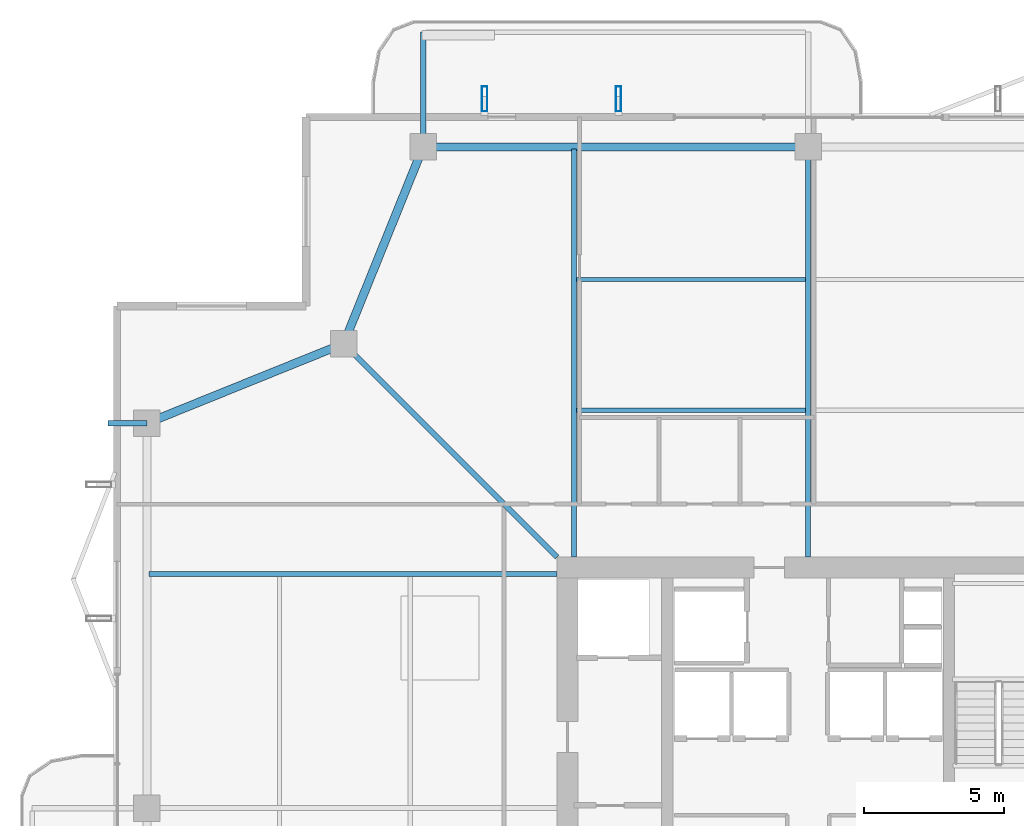
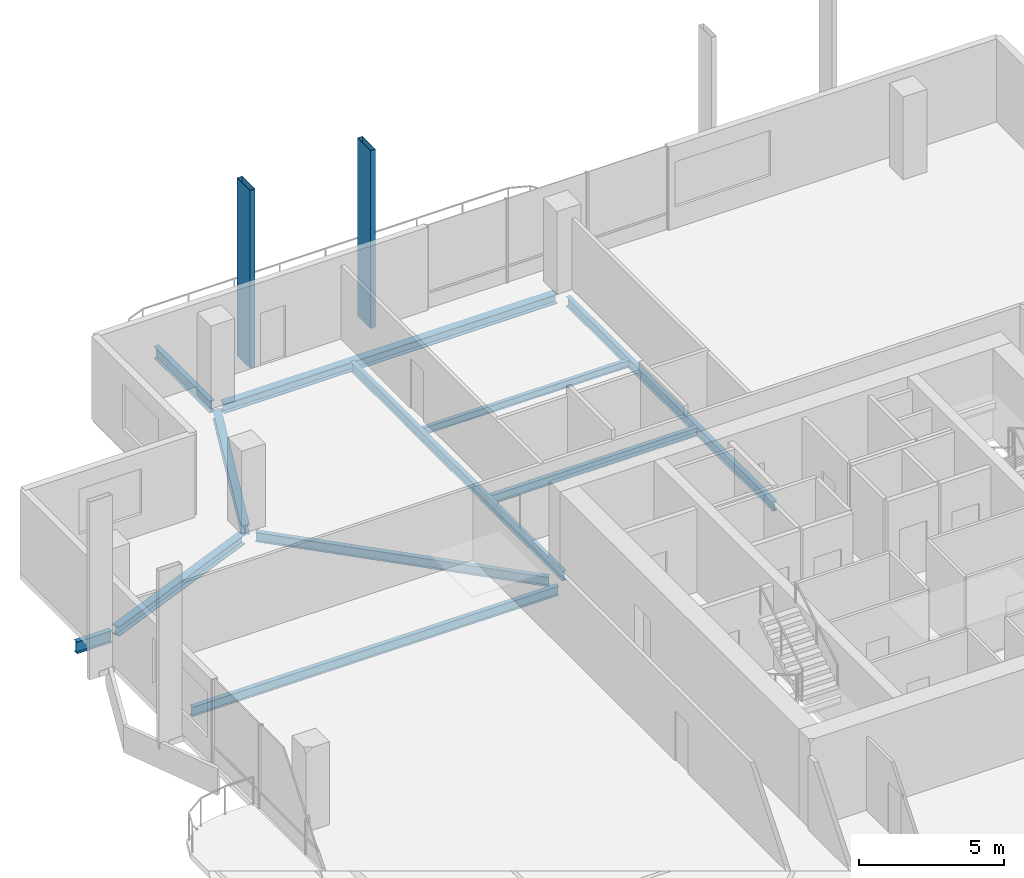
# One storey, part 12 of 25: 11 beams, 2 members.
"""IFC4 building model written with IfcOpenShell, lengths in metres."""

from ifc_helpers import new_model, si_unit, direction, frame, origin, origin_2d, place, context, subcontext, project, spatial, hollow_rectangle, i_section, extrude, material, material_profile, profile_set, type_object, element, save


model = new_model("IFC4")

# Units and contexts
model_context = context("Model", 3, precision=1e-05, world=origin(), true_north=direction((0.0, 1.0)))
body_context = subcontext(model_context, "Body", "Model", "MODEL_VIEW")
ifc_project = project(units=[si_unit("LENGTHUNIT", "METRE"), si_unit("AREAUNIT", "SQUARE_METRE"), si_unit("VOLUMEUNIT", "CUBIC_METRE"), si_unit("PLANEANGLEUNIT", "RADIAN"), si_unit("MASSUNIT", "GRAM", prefix="KILO")], contexts=[model_context])

# Site, building, storey
site_placement = place(None, origin())
site = spatial("IfcSite", under=ifc_project, at=site_placement, CompositionType="ELEMENT")
building_placement = place(site_placement, origin())
building = spatial("IfcBuilding", under=site, at=building_placement, Name="Belovzor Exchange Tower", CompositionType="ELEMENT")
storey_placement = place(building_placement, frame((0.0, 0.0, 250.35009765625)))
storey = spatial("IfcBuildingStorey", under=building, at=storey_placement, Name="L62", CompositionType="ELEMENT", Elevation=250.35009765625)

# Beams
ifc_material_1 = material(Name="Steel S355", Category="steel")
ifc_material_profile_1 = material_profile(ifc_material_1, i_section(OverallWidth=0.199951171875, OverallDepth=0.5, WebThickness=0.01025390625, FlangeThickness=0.01611328125, at=origin_2d()))
ifc_profile_set_1 = profile_set([ifc_material_profile_1], Name="Steel S355")
beam_type_1 = type_object("IfcBeamType", Name="Planted Balcony Cantilever Beam IPE 500", PredefinedType="BEAM", material=ifc_profile_set_1)
beam_1_placement = place(storey_placement, frame((15.0, 52.760986328125, -0.5), z_axis=(0.0, 1.0, 0.0), x_axis=(-1.0, 0.0, 0.0)))
element("IfcBeam", 1, at=beam_1_placement, inside=storey, type_object=beam_type_1, Name="BC-500 Planted Balcony Cantilever Beam IPE 500", PredefinedType="BEAM", context=body_context, shape_type="SweptSolid", body=[
    extrude(i_section(OverallWidth=0.199951171875, OverallDepth=0.5, WebThickness=0.01025390625, FlangeThickness=0.01611328125, at=origin_2d()), origin(), (0.0, 0.0, 1.0), 3.85009765625),
])
beam_2_placement = place(storey_placement, frame((5.10009765625, 42.60009765625, -0.5), z_axis=(-1.0, 0.0, 0.0), x_axis=(0.0, -1.0, 0.0)))
element("IfcBeam", 2, at=beam_2_placement, inside=storey, type_object=beam_type_1, Name="BC-500 Planted Balcony Cantilever Beam IPE 500", PredefinedType="BEAM", context=body_context, shape_type="SweptSolid", body=[
    extrude(i_section(OverallWidth=0.199951171875, OverallDepth=0.5, WebThickness=0.01025390625, FlangeThickness=0.01611328125, at=origin_2d()), origin(), (0.0, 0.0, 1.0), 1.400146484375),
])
ifc_material_2 = material(Name="Steel S355", Category="steel")
ifc_material_profile_2 = material_profile(ifc_material_2, i_section(OverallWidth=0.169921875, OverallDepth=0.360107421875, WebThickness=0.008056640625, FlangeThickness=0.0126953125, at=origin_2d()))
ifc_profile_set_2 = profile_set([ifc_material_profile_2], Name="Steel S355")
beam_type_2 = type_object("IfcBeamType", Name="Secondary Infill Floor Joist IPE 360", PredefinedType="BEAM", material=ifc_profile_set_2)
beam_3_placement = place(storey_placement, frame((20.489990234375, 43.06494140625, -0.43017578125), z_axis=(1.0, 0.0, 0.0), x_axis=(0.0, 1.0, 0.0)))
element("IfcBeam", 3, at=beam_3_placement, inside=storey, type_object=beam_type_2, Name="FJ-360 Secondary Infill Floor Joist IPE 360", PredefinedType="BEAM", context=body_context, shape_type="SweptSolid", body=[
    extrude(i_section(OverallWidth=0.169921875, OverallDepth=0.360107421875, WebThickness=0.008056640625, FlangeThickness=0.0126953125, at=origin_2d()), origin(), (0.0, 0.0, 1.0), 8.219970703125),
])
ifc_material_3 = material(Name="Steel S355", Category="steel")
ifc_material_profile_3 = material_profile(ifc_material_3, i_section(OverallWidth=0.14990234375, OverallDepth=0.300048828125, WebThickness=0.007080078125, FlangeThickness=0.0107421875, at=origin_2d()))
ifc_profile_set_3 = profile_set([ifc_material_profile_3], Name="Steel S355")
beam_type_3 = type_object("IfcBeamType", Name="Secondary Trim Floor Joist IPE 300", PredefinedType="BEAM", material=ifc_profile_set_3)
beam_4_placement = place(storey_placement, frame((20.489990234375, 47.7451171875, -0.400146484375), z_axis=(1.0, 0.0, 0.0), x_axis=(0.0, 1.0, 0.0)))
element("IfcBeam", 4, at=beam_4_placement, inside=storey, type_object=beam_type_3, Name="FJ-300 Secondary Trim Floor Joist IPE 300", PredefinedType="BEAM", context=body_context, shape_type="SweptSolid", body=[
    extrude(i_section(OverallWidth=0.14990234375, OverallDepth=0.300048828125, WebThickness=0.007080078125, FlangeThickness=0.0107421875, at=origin_2d()), origin(), (0.0, 0.0, 1.0), 8.219970703125),
])

# Members
ifc_material_4 = material(Name="Extruded Architectural Terracotta on Steel S355 Carrier", Category="masonry")
ifc_material_profile_4 = material_profile(ifc_material_4, hollow_rectangle(XDim=0.199951171875, YDim=0.89990234375, WallThickness=0.011962890625, at=origin_2d()))
ifc_profile_set_4 = profile_set([ifc_material_profile_4], Name="Extruded Architectural Terracotta on Steel S355 Carrier")
member_type = type_object("IfcMemberType", Name="Sweeping Terracotta Baguette Fin Assembly 950", PredefinedType="USERDEFINED", material=ifc_profile_set_4)
for number, where, z_axis, x_axis, name in (
    (5, (17.199951171875, 54.22509765625, -0.25), (0.0, 0.0, 1.0), (1.0, 0.0, 0.0), "FIN-TC095 Terracotta Facade Fin L62 N1"),
    (6, (22.0, 54.22509765625, -0.25), (0.0, 0.0, 1.0), (1.0, 0.0, 0.0), "FIN-TC095 Terracotta Facade Fin L62 N2"),
):
    element("IfcMember", number, at=place(storey_placement, frame(where, z_axis=z_axis, x_axis=x_axis)), inside=storey, type_object=member_type, Name=name, ObjectType="FIN", PredefinedType="USERDEFINED", context=body_context, shape_type="SweptSolid", body=[
        extrude(hollow_rectangle(XDim=0.199951171875, YDim=0.89990234375, WallThickness=0.011962890625, at=origin_2d()), origin(), (0.0, 0.0, 1.0), 7.5),
    ])

# Beams
ifc_material_5 = material(Name="Steel S355", Category="steel")
ifc_material_profile_5 = material_profile(ifc_material_5, i_section(OverallWidth=0.300048828125, OverallDepth=0.39990234375, WebThickness=0.013427734375, FlangeThickness=0.02392578125, at=origin_2d()))
ifc_profile_set_5 = profile_set([ifc_material_profile_5], Name="Steel S355")
beam_type_4 = type_object("IfcBeamType", Name="Zone 5 Primary Girder HEB 400", PredefinedType="BEAM", material=ifc_profile_set_5)
beam_5_placement = place(storey_placement, frame((28.5390625, 52.5, -0.4501953125), z_axis=(-1.0, 0.0, 0.0), x_axis=(0.0, -1.0, 0.0)))
element("IfcBeam", 7, at=beam_5_placement, inside=storey, type_object=beam_type_4, Name="FG-Z5 Zone 5 Primary Girder HEB 400", PredefinedType="BEAM", context=body_context, shape_type="SweptSolid", body=[
    extrude(i_section(OverallWidth=0.300048828125, OverallDepth=0.39990234375, WebThickness=0.013427734375, FlangeThickness=0.02392578125, at=origin_2d()), origin(), (0.0, 0.0, 1.0), 13.278076171875),
])
beam_6_placement = place(storey_placement, frame((14.902099609375, 52.258056640625, -0.4501953125), z_axis=(-0.374746306278, -0.927127394661, 0.0), x_axis=(0.927127394661, -0.374746306278, 0.0)))
element("IfcBeam", 8, at=beam_6_placement, inside=storey, type_object=beam_type_4, Name="FG-Z5 Zone 5 Primary Girder HEB 400", PredefinedType="BEAM", context=body_context, shape_type="SweptSolid", body=[
    extrude(i_section(OverallWidth=0.300048828125, OverallDepth=0.39990234375, WebThickness=0.013427734375, FlangeThickness=0.02392578125, at=origin_2d()), origin(), (0.0, 0.0, 1.0), 7.082275390625),
])
beam_7_placement = place(storey_placement, frame((11.907958984375, 45.35205078125, -0.4501953125), z_axis=(-0.927122553345, -0.374758283536, 0.0), x_axis=(0.374758283536, -0.927122553345, 0.0)))
element("IfcBeam", 9, at=beam_7_placement, inside=storey, type_object=beam_type_4, Name="FG-Z5 Zone 5 Primary Girder HEB 400", PredefinedType="BEAM", context=body_context, shape_type="SweptSolid", body=[
    extrude(i_section(OverallWidth=0.300048828125, OverallDepth=0.39990234375, WebThickness=0.013427734375, FlangeThickness=0.02392578125, at=origin_2d()), origin(), (0.0, 0.0, 1.0), 7.08203125),
])
ifc_material_6 = material(Name="Steel S355", Category="steel")
ifc_material_profile_6 = material_profile(ifc_material_6, i_section(OverallWidth=0.179931640625, OverallDepth=0.39990234375, WebThickness=0.008544921875, FlangeThickness=0.013427734375, at=origin_2d()))
ifc_profile_set_6 = profile_set([ifc_material_profile_6], Name="Steel S355")
beam_type_5 = type_object("IfcBeamType", Name="Zone 5-6 Radial Composite Floor Beam IPE 400", PredefinedType="BEAM", material=ifc_profile_set_6)
beam_8_placement = place(storey_placement, frame((20.39990234375, 37.800048828125, -0.4501953125), z_axis=(0.0, 1.0, 0.0), x_axis=(-1.0, 0.0, 0.0)))
element("IfcBeam", 10, at=beam_8_placement, inside=storey, type_object=beam_type_5, Name="FB-400 Zone 5-6 Radial Composite Floor Beam IPE 400", PredefinedType="BEAM", context=body_context, shape_type="SweptSolid", body=[
    extrude(i_section(OverallWidth=0.179931640625, OverallDepth=0.39990234375, WebThickness=0.008544921875, FlangeThickness=0.013427734375, at=origin_2d()), origin(), (0.0, 0.0, 1.0), 14.625),
])
beam_9_placement = place(storey_placement, frame((28.800048828125, 37.800048828125, -0.4501953125), z_axis=(0.0, 1.0, 0.0), x_axis=(-1.0, 0.0, 0.0)))
element("IfcBeam", 11, at=beam_9_placement, inside=storey, type_object=beam_type_5, Name="FB-400 Zone 5-6 Radial Composite Floor Beam IPE 400", PredefinedType="BEAM", context=body_context, shape_type="SweptSolid", body=[
    extrude(i_section(OverallWidth=0.179931640625, OverallDepth=0.39990234375, WebThickness=0.008544921875, FlangeThickness=0.013427734375, at=origin_2d()), origin(), (0.0, 0.0, 1.0), 14.281982421875),
])
beam_10_placement = place(storey_placement, frame((19.800048828125, 37.199951171875, -0.4501953125), z_axis=(-1.0, 0.0, 0.0), x_axis=(0.0, -1.0, 0.0)))
element("IfcBeam", 12, at=beam_10_placement, inside=storey, type_object=beam_type_5, Name="FB-400 Zone 5-6 Radial Composite Floor Beam IPE 400", PredefinedType="BEAM", context=body_context, shape_type="SweptSolid", body=[
    extrude(i_section(OverallWidth=0.179931640625, OverallDepth=0.39990234375, WebThickness=0.008544921875, FlangeThickness=0.013427734375, at=origin_2d()), origin(), (0.0, 0.0, 1.0), 14.625),
])
beam_11_placement = place(storey_placement, frame((19.800048828125, 37.800048828125, -0.4501953125), z_axis=(-0.707071845944, 0.707141714703, 0.0), x_axis=(-0.707141714703, -0.707071845944, 0.0)))
element("IfcBeam", 13, at=beam_11_placement, inside=storey, type_object=beam_type_5, Name="FB-400 Zone 5-6 Radial Composite Floor Beam IPE 400", PredefinedType="BEAM", context=body_context, shape_type="SweptSolid", body=[
    extrude(i_section(OverallWidth=0.179931640625, OverallDepth=0.39990234375, WebThickness=0.008544921875, FlangeThickness=0.013427734375, at=origin_2d()), origin(), (0.0, 0.0, 1.0), 10.48291015625),
])

save(model, "model.ifc")
